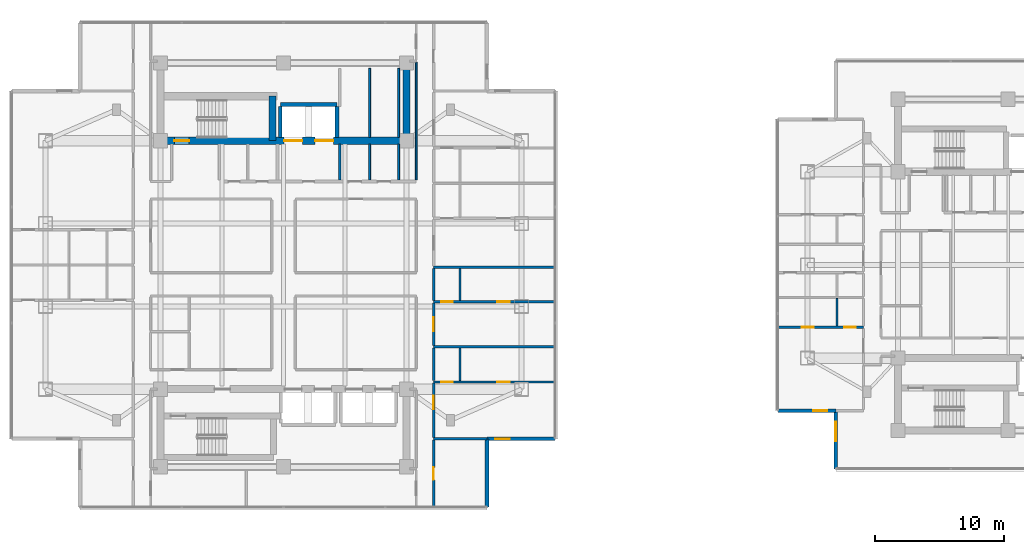
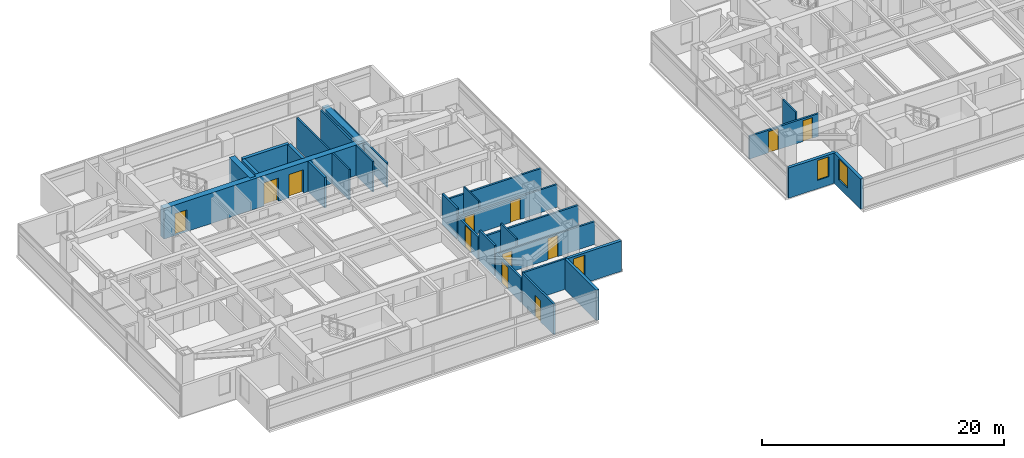
# One storey, part 15 of 25: 30 walls, 12 doors, 3 windows, 15 openings.
"""IFC4 building model written with IfcOpenShell, lengths in metres."""

from ifc_helpers import new_model, si_unit, direction, frame, frame_2d, origin, place, context, subcontext, project, spatial, rectangle, extrude, material, layer, layer_set, type_object, element, fill, save


model = new_model("IFC4")

# Units and contexts
model_context = context("Model", 3, precision=1e-05, world=origin(), true_north=direction((0.0, 1.0)))
body_context = subcontext(model_context, "Body", "Model", "MODEL_VIEW")
ifc_project = project(units=[si_unit("LENGTHUNIT", "METRE"), si_unit("AREAUNIT", "SQUARE_METRE"), si_unit("VOLUMEUNIT", "CUBIC_METRE"), si_unit("PLANEANGLEUNIT", "RADIAN"), si_unit("MASSUNIT", "GRAM", prefix="KILO")], contexts=[model_context])

# Site, building, storey
site_placement = place(None, origin())
site = spatial("IfcSite", under=ifc_project, at=site_placement, CompositionType="ELEMENT")
building_placement = place(site_placement, origin())
building = spatial("IfcBuilding", under=site, at=building_placement, Name="Mirazonda Arch Towers", CompositionType="ELEMENT")
storey_placement = place(building_placement, frame((0.0, 0.0, 131.300048828125)))
storey = spatial("IfcBuildingStorey", under=building, at=storey_placement, Name="L37", CompositionType="ELEMENT", Elevation=131.300048828125)

# Wall
ifc_material_1 = material(Name="Concrete C50/60", Category="concrete")
ifc_layer_1 = layer(ifc_material_1, 0.550048828125, Name="WALL-CORE-550")
ifc_layer_set_1 = layer_set([ifc_layer_1], Name="Concrete C50/60")
wall_type_1 = type_object("IfcWallType", Name="WALL-CORE-550", PredefinedType="SHEAR", material=ifc_layer_set_1)
wall_1_placement = place(storey_placement, frame((30.0, 37.60009765625, 0.0), z_axis=(0.0, 0.0, 1.0), x_axis=(0.0, 1.0, 0.0)))
element("IfcWall", 1, at=wall_1_placement, inside=storey, type_object=wall_type_1, Name="L37 T1N-E Core Shear Wall", PredefinedType="SHEAR", context=body_context, shape_type="SweptSolid", body=[
    extrude(rectangle(XDim=6.0, YDim=0.550048828125, at=frame_2d((3.0, 0.0))), origin(), (0.0, 0.0, 1.0), 3.079833984375),
])

# Wall, openings, doors
wall_2_placement = place(storey_placement, frame((11.0, 37.60009765625, 0.0), z_axis=(0.0, 0.0, 1.0), x_axis=(1.0, 0.0, 0.0)))
wall_2 = element("IfcWall", 2, at=wall_2_placement, inside=storey, type_object=wall_type_1, Name="L37 T1N-S Core Shear Wall", PredefinedType="SHEAR", context=body_context, shape_type="SweptSolid", body=[
    extrude(rectangle(XDim=19.0, YDim=0.550048828125, at=frame_2d((9.5, 0.0))), origin(), (0.0, 0.0, 1.0), 3.079833984375),
])
opening_1_placement = place(wall_2_placement, frame((1.06005859375, 0.0, 0.0)))
opening_1 = element("IfcOpeningElement", 3, at=opening_1_placement, cuts=wall_2, Name="Opening DR-135", PredefinedType="OPENING", context=body_context, shape_type="SweptSolid", body=[
    extrude(rectangle(XDim=1.14990234375, YDim=2.199951171875, at=frame_2d((0.574951171875, 1.10009765625))), frame((0.0, 0.284912109375, 0.0), z_axis=(0.0, -1.0, 0.0), x_axis=(1.0, 0.0, 0.0)), (0.0, 0.0, 1.0), 0.570068359375),
])
opening_2_placement = place(wall_2_placement, frame((9.550048828125, 0.0, 0.0)))
opening_2 = element("IfcOpeningElement", 4, at=opening_2_placement, cuts=wall_2, Name="Opening LD-112", PredefinedType="OPENING", context=body_context, shape_type="SweptSolid", body=[
    extrude(rectangle(XDim=1.39990234375, YDim=2.35009765625, at=frame_2d((0.699951171875, 1.175048828125))), frame((0.0, 0.284912109375, 0.0), z_axis=(0.0, -1.0, 0.0), x_axis=(1.0, 0.0, 0.0)), (0.0, 0.0, 1.0), 0.570068359375),
])
opening_3_placement = place(wall_2_placement, frame((11.949951171875, 0.0, 0.0)))
opening_3 = element("IfcOpeningElement", 5, at=opening_3_placement, cuts=wall_2, Name="Opening LD-112", PredefinedType="OPENING", context=body_context, shape_type="SweptSolid", body=[
    extrude(rectangle(XDim=1.39990234375, YDim=2.35009765625, at=frame_2d((0.699951171875, 1.175048828125))), frame((0.0, 0.284912109375, 0.0), z_axis=(0.0, -1.0, 0.0), x_axis=(1.0, 0.0, 0.0)), (0.0, 0.0, 1.0), 0.570068359375),
])
ifc_material_2 = material(Name="Architectural Brushed Steel S355", Category="steel")
door_type_1 = type_object("IfcDoorType", Name="DOOR-LIFT-FFL-1400", OperationType="NOTDEFINED", PredefinedType="DOOR", material=ifc_material_2)
door_1_placement = place(opening_2_placement, origin())
door_1 = element("IfcDoor", 6, at=door_1_placement, inside=storey, type_object=door_type_1, Name="L37 Lift Landing Sliding Door FFL-T1", OperationType="DOUBLE_DOOR_SLIDING", OverallHeight=2.35009765625, OverallWidth=1.39990234375, PredefinedType="DOOR", context=body_context, shape_type="SweptSolid", body=[
    extrude(rectangle(XDim=1.39990234375, YDim=2.35009765625, at=frame_2d((0.699951171875, 1.175048828125))), frame((0.0, 0.02490234375, 0.0), z_axis=(0.0, -1.0, 0.0), x_axis=(1.0, 0.0, 0.0)), (0.0, 0.0, 1.0), 0.050048828125),
])
fill(opening_2, door_1)
door_2_placement = place(opening_3_placement, origin())
door_2 = element("IfcDoor", 7, at=door_2_placement, inside=storey, type_object=door_type_1, Name="L37 Lift Landing Sliding Door SVL-T1", OperationType="DOUBLE_DOOR_SLIDING", OverallHeight=2.35009765625, OverallWidth=1.39990234375, PredefinedType="DOOR", context=body_context, shape_type="SweptSolid", body=[
    extrude(rectangle(XDim=1.39990234375, YDim=2.35009765625, at=frame_2d((0.699951171875, 1.175048828125))), frame((0.0, 0.02490234375, 0.0), z_axis=(0.0, -1.0, 0.0), x_axis=(1.0, 0.0, 0.0)), (0.0, 0.0, 1.0), 0.050048828125),
])
fill(opening_3, door_2)
door_type_2 = type_object("IfcDoorType", Name="DOOR-STAIR-FD90-1150", OperationType="NOTDEFINED", PredefinedType="DOOR", material=ifc_material_2)
door_3_placement = place(opening_1_placement, origin())
door_3 = element("IfcDoor", 8, at=door_3_placement, inside=storey, type_object=door_type_2, Name="L37 Protected Exit Stair North Door", OperationType="SINGLE_SWING_LEFT", OverallHeight=2.199951171875, OverallWidth=1.14990234375, PredefinedType="DOOR", context=body_context, shape_type="SweptSolid", body=[
    extrude(rectangle(XDim=1.14990234375, YDim=2.199951171875, at=frame_2d((0.574951171875, 1.10009765625))), frame((0.0, 0.02490234375, 0.0), z_axis=(0.0, -1.0, 0.0), x_axis=(1.0, 0.0, 0.0)), (0.0, 0.0, 1.0), 0.050048828125),
])
fill(opening_1, door_3)

# Wall
wall_3_placement = place(storey_placement, frame((19.64990234375, 37.60009765625, 0.0), z_axis=(0.0, 0.0, 1.0), x_axis=(0.0, 1.0, 0.0)))
element("IfcWall", 9, at=wall_3_placement, inside=storey, type_object=wall_type_1, Name="L37 T1N-STE Core Shear Wall", PredefinedType="SHEAR", context=body_context, shape_type="SweptSolid", body=[
    extrude(rectangle(XDim=3.44287109375, YDim=0.550048828125, at=frame_2d((1.721435546875, 0.0))), origin(), (0.0, 0.0, 1.0), 3.079833984375),
])

# Wall, opening, window
ifc_material_3 = material(Name="Precast Concrete C40/50", Category="concrete")
ifc_layer_2 = layer(ifc_material_3, 0.280029296875, Name="WALL-EXT-WALL-280")
ifc_layer_set_2 = layer_set([ifc_layer_2], Name="Precast Concrete C40/50")
wall_type_2 = type_object("IfcWallType", Name="WALL-EXT-WALL-280", PredefinedType="SOLIDWALL", material=ifc_layer_set_2)
wall_4_placement = place(storey_placement, frame((36.22998046875, 14.55810546875, 0.0), z_axis=(0.0, 0.0, 1.0), x_axis=(1.0, 0.0, 0.0)))
wall_4 = element("IfcWall", 10, at=wall_4_placement, inside=storey, type_object=wall_type_2, Name="L37 T1 Corner Notch Return Wall WL-L37-T1-CSE1", PredefinedType="SOLIDWALL", context=body_context, shape_type="SweptSolid", body=[
    extrude(rectangle(XDim=5.27001953125, YDim=0.280029296875, at=frame_2d((2.635009765625, 0.0))), origin(), (0.0, 0.0, 1.0), 3.06005859375),
])
opening_4_placement = place(wall_4_placement, frame((0.64990234375, 0.0, 0.85009765625)))
opening_4 = element("IfcOpeningElement", 11, at=opening_4_placement, cuts=wall_4, Name="Opening WN-108", PredefinedType="OPENING", context=body_context, shape_type="SweptSolid", body=[
    extrude(rectangle(XDim=1.10009765625, YDim=2.0, at=frame_2d((0.550048828125, 1.0))), frame((0.0, 0.14990234375, 0.0), z_axis=(0.0, -1.0, 0.0), x_axis=(1.0, 0.0, 0.0)), (0.0, 0.0, 1.0), 0.300048828125),
])
ifc_material_4 = material(Name="Insulated Low-E Solar Glass", Category="glass")
window_type_1 = type_object("IfcWindowType", Name="WIN-NOTCH-1100x2000", PartitioningType="SINGLE_PANEL", PredefinedType="WINDOW", material=ifc_material_4)
window_1_placement = place(opening_4_placement, origin())
window_1 = element("IfcWindow", 12, at=window_1_placement, inside=storey, type_object=window_type_1, Name="L37 Punched Facade Window WN-L37-T1-CSE1", OverallHeight=2.0, OverallWidth=1.10009765625, PartitioningType="SINGLE_PANEL", PredefinedType="WINDOW", context=body_context, shape_type="SweptSolid", body=[
    extrude(rectangle(XDim=1.10009765625, YDim=2.0, at=frame_2d((0.550048828125, 1.0))), frame((0.0, 0.030029296875, 0.0), z_axis=(0.0, -1.0, 0.0), x_axis=(1.0, 0.0, 0.0)), (0.0, 0.0, 1.0), 0.06005859375),
])
fill(opening_4, window_1)

# Wall
wall_5_placement = place(storey_placement, frame((36.22998046875, 9.2880859375, 0.0), z_axis=(0.0, 0.0, 1.0), x_axis=(0.0, 1.0, 0.0)))
element("IfcWall", 13, at=wall_5_placement, inside=storey, type_object=wall_type_2, Name="L37 T1 Corner Notch Return Wall WL-L37-T1-CSE2", PredefinedType="SOLIDWALL", context=body_context, shape_type="SweptSolid", body=[
    extrude(rectangle(XDim=5.27001953125, YDim=0.280029296875, at=frame_2d((2.635009765625, 0.0))), origin(), (0.0, 0.0, 1.0), 3.06005859375),
])

# Wall, opening, window
wall_6_placement = place(storey_placement, frame((63.189453125, 16.734375, 0.0), z_axis=(0.0, 0.0, 1.0), x_axis=(0.0, -1.0, 0.0)))
wall_6 = element("IfcWall", 14, at=wall_6_placement, inside=storey, type_object=wall_type_2, Name="L37 T2 Notched SW Corner Wall WL-L37-T2-CSW", PredefinedType="SOLIDWALL", context=body_context, shape_type="SweptSolid", body=[
    extrude(rectangle(XDim=4.486572265625, YDim=0.280029296875, at=frame_2d((2.2431640625, 0.0))), origin(), (0.0, 0.0, 1.0), 3.06005859375),
])
opening_5_placement = place(wall_6_placement, frame((0.85009765625, 0.0, 0.81005859375)))
opening_5 = element("IfcOpeningElement", 15, at=opening_5_placement, cuts=wall_6, Name="Opening WN-120", PredefinedType="OPENING", context=body_context, shape_type="SweptSolid", body=[
    extrude(rectangle(XDim=1.5, YDim=2.10009765625, at=frame_2d((0.75, 1.050048828125))), frame((0.0, 0.14990234375, 0.0), z_axis=(0.0, -1.0, 0.0), x_axis=(1.0, 0.0, 0.0)), (0.0, 0.0, 1.0), 0.300048828125),
])
window_type_2 = type_object("IfcWindowType", Name="WIN-HTL-1500x2100", PartitioningType="SINGLE_PANEL", PredefinedType="WINDOW", material=ifc_material_4)
window_2_placement = place(opening_5_placement, origin())
window_2 = element("IfcWindow", 16, at=window_2_placement, inside=storey, type_object=window_type_2, Name="L37 Punched Facade Window WN-L37-T2-CSW", OverallHeight=2.10009765625, OverallWidth=1.5, PartitioningType="SINGLE_PANEL", PredefinedType="WINDOW", context=body_context, shape_type="SweptSolid", body=[
    extrude(rectangle(XDim=1.5, YDim=2.10009765625, at=frame_2d((0.75, 1.050048828125))), frame((0.0, 0.030029296875, 0.0), z_axis=(0.0, -1.0, 0.0), x_axis=(1.0, 0.0, 0.0)), (0.0, 0.0, 1.0), 0.06005859375),
])
fill(opening_5, window_2)

wall_7_placement = place(storey_placement, frame((58.702880859375, 16.734375, 0.0), z_axis=(0.0, 0.0, 1.0), x_axis=(1.0, 0.0, 0.0)))
wall_7 = element("IfcWall", 17, at=wall_7_placement, inside=storey, type_object=wall_type_2, Name="L37 T2 Corner Notch Return Wall WL-L37-T2-CSW2", PredefinedType="SOLIDWALL", context=body_context, shape_type="SweptSolid", body=[
    extrude(rectangle(XDim=4.486572265625, YDim=0.280029296875, at=frame_2d((2.2431640625, 0.0))), origin(), (0.0, 0.0, 1.0), 3.06005859375),
])
opening_6_placement = place(wall_7_placement, frame((2.736083984375, 0.0, 0.85009765625)))
opening_6 = element("IfcOpeningElement", 18, at=opening_6_placement, cuts=wall_7, Name="Opening WN-108", PredefinedType="OPENING", context=body_context, shape_type="SweptSolid", body=[
    extrude(rectangle(XDim=1.10009765625, YDim=2.0, at=frame_2d((0.550048828125, 1.0))), frame((0.0, 0.14990234375, 0.0), z_axis=(0.0, -1.0, 0.0), x_axis=(1.0, 0.0, 0.0)), (0.0, 0.0, 1.0), 0.300048828125),
])
window_3_placement = place(opening_6_placement, origin())
window_3 = element("IfcWindow", 19, at=window_3_placement, inside=storey, type_object=window_type_1, Name="L37 Punched Facade Window WN-L37-T2-CSW2", OverallHeight=2.0, OverallWidth=1.10009765625, PartitioningType="SINGLE_PANEL", PredefinedType="WINDOW", context=body_context, shape_type="SweptSolid", body=[
    extrude(rectangle(XDim=1.10009765625, YDim=2.0, at=frame_2d((0.550048828125, 1.0))), frame((0.0, 0.030029296875, 0.0), z_axis=(0.0, -1.0, 0.0), x_axis=(1.0, 0.0, 0.0)), (0.0, 0.0, 1.0), 0.06005859375),
])
fill(opening_6, window_3)

# Walls
ifc_material_5 = material(Name="Concrete C40/50", Category="concrete")
ifc_layer_3 = layer(ifc_material_5, 0.219970703125, Name="WALL-FFL-220")
ifc_layer_set_3 = layer_set([ifc_layer_3], Name="Concrete C40/50")
wall_type_3 = type_object("IfcWallType", Name="WALL-FFL-220", PredefinedType="SOLIDWALL", material=ifc_layer_set_3)
wall_8_placement = place(storey_placement, frame((24.85009765625, 34.570068359375, 0.0), z_axis=(0.0, 0.0, 1.0), x_axis=(0.0, 1.0, 0.0)))
element("IfcWall", 20, at=wall_8_placement, inside=storey, type_object=wall_type_3, Name="L37 Interior Partition 097", PredefinedType="SOLIDWALL", context=body_context, shape_type="SweptSolid", body=[
    extrude(rectangle(XDim=2.760009765625, YDim=0.219970703125, at=frame_2d((1.3798828125, 0.0))), origin(), (0.0, 0.0, 1.0), 3.079833984375),
])
ifc_material_6 = material(Name="Fire-Rated Gypsum Stud Partition")
ifc_layer_4 = layer(ifc_material_6, 0.14990234375, Name="WALL-PART-CORR-150")
ifc_layer_set_4 = layer_set([ifc_layer_4], Name="Fire-Rated Gypsum Stud Partition")
wall_type_4 = type_object("IfcWallType", Name="WALL-PART-CORR-150", PredefinedType="PARTITIONING", material=ifc_layer_set_4)
wall_9_placement = place(storey_placement, frame((27.14990234375, 34.570068359375, 0.0), z_axis=(0.0, 0.0, 1.0), x_axis=(0.0, 1.0, 0.0)))
element("IfcWall", 21, at=wall_9_placement, inside=storey, type_object=wall_type_4, Name="L37 Interior Partition 099", PredefinedType="PARTITIONING", context=body_context, shape_type="SweptSolid", body=[
    extrude(rectangle(XDim=2.760009765625, YDim=0.14990234375, at=frame_2d((1.3798828125, 0.0))), origin(), (0.0, 0.0, 1.0), 3.079833984375),
])
wall_10_placement = place(storey_placement, frame((27.14990234375, 37.8701171875, 0.0), z_axis=(0.0, 0.0, 1.0), x_axis=(0.0, 1.0, 0.0)))
element("IfcWall", 22, at=wall_10_placement, inside=storey, type_object=wall_type_4, Name="L37 Interior Partition 100", PredefinedType="PARTITIONING", context=body_context, shape_type="SweptSolid", body=[
    extrude(rectangle(XDim=5.329833984375, YDim=0.14990234375, at=frame_2d((2.6650390625, 0.0))), origin(), (0.0, 0.0, 1.0), 3.079833984375),
])
wall_11_placement = place(storey_placement, frame((29.39990234375, 34.570068359375, 0.0), z_axis=(0.0, 0.0, 1.0), x_axis=(0.0, 1.0, 0.0)))
element("IfcWall", 23, at=wall_11_placement, inside=storey, type_object=wall_type_4, Name="L37 Interior Partition 102", PredefinedType="PARTITIONING", context=body_context, shape_type="SweptSolid", body=[
    extrude(rectangle(XDim=2.760009765625, YDim=0.14990234375, at=frame_2d((1.3798828125, 0.0))), origin(), (0.0, 0.0, 1.0), 3.079833984375),
])
wall_12_placement = place(storey_placement, frame((29.39990234375, 37.8701171875, 0.0), z_axis=(0.0, 0.0, 1.0), x_axis=(0.0, 1.0, 0.0)))
element("IfcWall", 24, at=wall_12_placement, inside=storey, type_object=wall_type_4, Name="L37 Interior Partition 103", PredefinedType="PARTITIONING", context=body_context, shape_type="SweptSolid", body=[
    extrude(rectangle(XDim=5.329833984375, YDim=0.14990234375, at=frame_2d((2.6650390625, 0.0))), origin(), (0.0, 0.0, 1.0), 3.079833984375),
])
wall_13_placement = place(storey_placement, frame((30.760009765625, 34.570068359375, 0.0), z_axis=(0.0, 0.0, 1.0), x_axis=(0.0, 1.0, 0.0)))
element("IfcWall", 25, at=wall_13_placement, inside=storey, type_object=wall_type_4, Name="L37 Interior Partition 108", PredefinedType="PARTITIONING", context=body_context, shape_type="SweptSolid", body=[
    extrude(rectangle(XDim=9.094970703125, YDim=0.14990234375, at=frame_2d((4.54736328125, 0.0))), origin(), (0.0, 0.0, 1.0), 2.4560546875),
])
ifc_material_7 = material(Name="Fire-Rated Gypsum Twin-Stud Assembly")
ifc_layer_5 = layer(ifc_material_7, 0.179931640625, Name="WALL-PART-DEMISE-180")
ifc_layer_set_5 = layer_set([ifc_layer_5], Name="Fire-Rated Gypsum Twin-Stud Assembly")
wall_type_5 = type_object("IfcWallType", Name="WALL-PART-DEMISE-180", PredefinedType="PARTITIONING", material=ifc_layer_set_5)
wall_14_placement = place(storey_placement, frame((32.10009765625, 14.55810546875, 0.0), z_axis=(0.0, 0.0, 1.0), x_axis=(1.0, 0.0, 0.0)))
element("IfcWall", 26, at=wall_14_placement, inside=storey, type_object=wall_type_5, Name="L37 Interior Partition 005", PredefinedType="PARTITIONING", context=body_context, shape_type="SweptSolid", body=[
    extrude(rectangle(XDim=4.10986328125, YDim=0.179931640625, at=frame_2d((2.054931640625, 0.0))), origin(), (0.0, 0.0, 1.0), 3.079833984375),
])

# Wall, openings, doors
wall_15_placement = place(storey_placement, frame((32.10009765625, 18.9609375, 0.0), z_axis=(0.0, 0.0, 1.0), x_axis=(1.0, 0.0, 0.0)))
wall_15 = element("IfcWall", 27, at=wall_15_placement, inside=storey, type_object=wall_type_5, Name="L37 Interior Partition 015", PredefinedType="PARTITIONING", context=body_context, shape_type="SweptSolid", body=[
    extrude(rectangle(XDim=9.39990234375, YDim=0.179931640625, at=frame_2d((4.699951171875, 0.0))), origin(), (0.0, 0.0, 1.0), 2.299072265625),
])
opening_7_placement = place(wall_15_placement, frame((4.925048828125, 0.0, 0.0)))
opening_7 = element("IfcOpeningElement", 28, at=opening_7_placement, cuts=wall_15, Name="Opening DR-104", PredefinedType="OPENING", context=body_context, shape_type="SweptSolid", body=[
    extrude(rectangle(XDim=0.949951171875, YDim=2.14990234375, at=frame_2d((0.47509765625, 1.074951171875))), frame((0.0, 0.099853515625, 0.0), z_axis=(0.0, -1.0, 0.0), x_axis=(1.0, 0.0, 0.0)), (0.0, 0.0, 1.0), 0.199951171875),
])
opening_8_placement = place(wall_15_placement, frame((0.590087890625, 0.0, 0.0)))
opening_8 = element("IfcOpeningElement", 29, at=opening_8_placement, cuts=wall_15, Name="Opening DR-120", PredefinedType="OPENING", context=body_context, shape_type="SweptSolid", body=[
    extrude(rectangle(XDim=0.89990234375, YDim=2.10009765625, at=frame_2d((0.449951171875, 1.050048828125))), frame((0.0, 0.099853515625, 0.0), z_axis=(0.0, -1.0, 0.0), x_axis=(1.0, 0.0, 0.0)), (0.0, 0.0, 1.0), 0.199951171875),
])
door_type_3 = type_object("IfcDoorType", Name="DOOR-ROOM-950", OperationType="NOTDEFINED", PredefinedType="DOOR", material=ifc_material_2)
door_4_placement = place(opening_7_placement, origin())
door_4 = element("IfcDoor", 30, at=door_4_placement, inside=storey, type_object=door_type_3, Name="L37 Studio 1 Galley Kitchen Door", OperationType="SINGLE_SWING_LEFT", OverallHeight=2.14990234375, OverallWidth=0.949951171875, PredefinedType="DOOR", context=body_context, shape_type="SweptSolid", body=[
    extrude(rectangle(XDim=0.949951171875, YDim=2.14990234375, at=frame_2d((0.47509765625, 1.074951171875))), frame((0.0, 0.02490234375, 0.0), z_axis=(0.0, -1.0, 0.0), x_axis=(1.0, 0.0, 0.0)), (0.0, 0.0, 1.0), 0.050048828125),
])
fill(opening_7, door_4)
door_type_4 = type_object("IfcDoorType", Name="DOOR-WC-900", OperationType="NOTDEFINED", PredefinedType="DOOR", material=ifc_material_2)
door_5_placement = place(opening_8_placement, origin())
door_5 = element("IfcDoor", 31, at=door_5_placement, inside=storey, type_object=door_type_4, Name="L37 Studio 1 Bathroom Door", OperationType="SINGLE_SWING_RIGHT", OverallHeight=2.10009765625, OverallWidth=0.89990234375, PredefinedType="DOOR", context=body_context, shape_type="SweptSolid", body=[
    extrude(rectangle(XDim=0.89990234375, YDim=2.10009765625, at=frame_2d((0.449951171875, 1.050048828125))), frame((0.0, 0.02490234375, 0.0), z_axis=(0.0, -1.0, 0.0), x_axis=(1.0, 0.0, 0.0)), (0.0, 0.0, 1.0), 0.050048828125),
])
fill(opening_8, door_5)

# Wall
wall_16_placement = place(storey_placement, frame((32.10009765625, 21.680908203125, 0.0), z_axis=(0.0, 0.0, 1.0), x_axis=(1.0, 0.0, 0.0)))
element("IfcWall", 32, at=wall_16_placement, inside=storey, type_object=wall_type_5, Name="L37 Interior Partition 022", PredefinedType="PARTITIONING", context=body_context, shape_type="SweptSolid", body=[
    extrude(rectangle(XDim=9.39990234375, YDim=0.179931640625, at=frame_2d((4.699951171875, 0.0))), origin(), (0.0, 0.0, 1.0), 2.299072265625),
])

# Wall, openings, doors
wall_17_placement = place(storey_placement, frame((58.702880859375, 23.19189453125, 0.0), z_axis=(0.0, 0.0, 1.0), x_axis=(1.0, 0.0, 0.0)))
wall_17 = element("IfcWall", 33, at=wall_17_placement, inside=storey, type_object=wall_type_5, Name="L37 Interior Partition 025", PredefinedType="PARTITIONING", context=body_context, shape_type="SweptSolid", body=[
    extrude(rectangle(XDim=6.6171875, YDim=0.179931640625, at=frame_2d((3.30859375, 0.0))), origin(), (0.0, 0.0, 1.0), 2.299072265625),
])
opening_9_placement = place(wall_17_placement, frame((1.83349609375, 0.0, 0.0)))
opening_9 = element("IfcOpeningElement", 34, at=opening_9_placement, cuts=wall_17, Name="Opening DR-104", PredefinedType="OPENING", context=body_context, shape_type="SweptSolid", body=[
    extrude(rectangle(XDim=0.949951171875, YDim=2.14990234375, at=frame_2d((0.47509765625, 1.074951171875))), frame((0.0, 0.099853515625, 0.0), z_axis=(0.0, -1.0, 0.0), x_axis=(1.0, 0.0, 0.0)), (0.0, 0.0, 1.0), 0.199951171875),
])
opening_10_placement = place(wall_17_placement, frame((5.126953125, 0.0, 0.0)))
opening_10 = element("IfcOpeningElement", 35, at=opening_10_placement, cuts=wall_17, Name="Opening DR-120", PredefinedType="OPENING", context=body_context, shape_type="SweptSolid", body=[
    extrude(rectangle(XDim=0.89990234375, YDim=2.10009765625, at=frame_2d((0.449951171875, 1.050048828125))), frame((0.0, 0.099853515625, 0.0), z_axis=(0.0, -1.0, 0.0), x_axis=(1.0, 0.0, 0.0)), (0.0, 0.0, 1.0), 0.199951171875),
])
door_6_placement = place(opening_9_placement, origin())
door_6 = element("IfcDoor", 36, at=door_6_placement, inside=storey, type_object=door_type_3, Name="L37 Guestroom Study 1 Door", OperationType="SINGLE_SWING_LEFT", OverallHeight=2.14990234375, OverallWidth=0.949951171875, PredefinedType="DOOR", context=body_context, shape_type="SweptSolid", body=[
    extrude(rectangle(XDim=0.949951171875, YDim=2.14990234375, at=frame_2d((0.47509765625, 1.074951171875))), frame((0.0, 0.02490234375, 0.0), z_axis=(0.0, -1.0, 0.0), x_axis=(1.0, 0.0, 0.0)), (0.0, 0.0, 1.0), 0.050048828125),
])
fill(opening_9, door_6)
door_7_placement = place(opening_10_placement, origin())
door_7 = element("IfcDoor", 37, at=door_7_placement, inside=storey, type_object=door_type_4, Name="L37 En-Suite Bathroom 1 Door", OperationType="SINGLE_SWING_RIGHT", OverallHeight=2.10009765625, OverallWidth=0.89990234375, PredefinedType="DOOR", context=body_context, shape_type="SweptSolid", body=[
    extrude(rectangle(XDim=0.89990234375, YDim=2.10009765625, at=frame_2d((0.449951171875, 1.050048828125))), frame((0.0, 0.02490234375, 0.0), z_axis=(0.0, -1.0, 0.0), x_axis=(1.0, 0.0, 0.0)), (0.0, 0.0, 1.0), 0.050048828125),
])
fill(opening_10, door_7)

wall_18_placement = place(storey_placement, frame((32.10009765625, 25.156005859375, 0.0), z_axis=(0.0, 0.0, 1.0), x_axis=(1.0, 0.0, 0.0)))
wall_18 = element("IfcWall", 38, at=wall_18_placement, inside=storey, type_object=wall_type_5, Name="L37 Interior Partition 027", PredefinedType="PARTITIONING", context=body_context, shape_type="SweptSolid", body=[
    extrude(rectangle(XDim=9.39990234375, YDim=0.179931640625, at=frame_2d((4.699951171875, 0.0))), origin(), (0.0, 0.0, 1.0), 2.299072265625),
])
opening_11_placement = place(wall_18_placement, frame((4.925048828125, 0.0, 0.0)))
opening_11 = element("IfcOpeningElement", 39, at=opening_11_placement, cuts=wall_18, Name="Opening DR-104", PredefinedType="OPENING", context=body_context, shape_type="SweptSolid", body=[
    extrude(rectangle(XDim=0.949951171875, YDim=2.14990234375, at=frame_2d((0.47509765625, 1.074951171875))), frame((0.0, 0.099853515625, 0.0), z_axis=(0.0, -1.0, 0.0), x_axis=(1.0, 0.0, 0.0)), (0.0, 0.0, 1.0), 0.199951171875),
])
opening_12_placement = place(wall_18_placement, frame((0.590087890625, 0.0, 0.0)))
opening_12 = element("IfcOpeningElement", 40, at=opening_12_placement, cuts=wall_18, Name="Opening DR-120", PredefinedType="OPENING", context=body_context, shape_type="SweptSolid", body=[
    extrude(rectangle(XDim=0.89990234375, YDim=2.10009765625, at=frame_2d((0.449951171875, 1.050048828125))), frame((0.0, 0.099853515625, 0.0), z_axis=(0.0, -1.0, 0.0), x_axis=(1.0, 0.0, 0.0)), (0.0, 0.0, 1.0), 0.199951171875),
])
door_8_placement = place(opening_11_placement, origin())
door_8 = element("IfcDoor", 41, at=door_8_placement, inside=storey, type_object=door_type_3, Name="L37 Studio 2 Galley Kitchen Door", OperationType="SINGLE_SWING_RIGHT", OverallHeight=2.14990234375, OverallWidth=0.949951171875, PredefinedType="DOOR", context=body_context, shape_type="SweptSolid", body=[
    extrude(rectangle(XDim=0.949951171875, YDim=2.14990234375, at=frame_2d((0.47509765625, 1.074951171875))), frame((0.0, 0.02490234375, 0.0), z_axis=(0.0, -1.0, 0.0), x_axis=(1.0, 0.0, 0.0)), (0.0, 0.0, 1.0), 0.050048828125),
])
fill(opening_11, door_8)
door_9_placement = place(opening_12_placement, origin())
door_9 = element("IfcDoor", 42, at=door_9_placement, inside=storey, type_object=door_type_4, Name="L37 Studio 2 Bathroom Door", OperationType="SINGLE_SWING_LEFT", OverallHeight=2.10009765625, OverallWidth=0.89990234375, PredefinedType="DOOR", context=body_context, shape_type="SweptSolid", body=[
    extrude(rectangle(XDim=0.89990234375, YDim=2.10009765625, at=frame_2d((0.449951171875, 1.050048828125))), frame((0.0, 0.02490234375, 0.0), z_axis=(0.0, -1.0, 0.0), x_axis=(1.0, 0.0, 0.0)), (0.0, 0.0, 1.0), 0.050048828125),
])
fill(opening_12, door_9)

# Wall
wall_19_placement = place(storey_placement, frame((32.10009765625, 27.81396484375, 0.0), z_axis=(0.0, 0.0, 1.0), x_axis=(1.0, 0.0, 0.0)))
element("IfcWall", 43, at=wall_19_placement, inside=storey, type_object=wall_type_5, Name="L37 Interior Partition 035", PredefinedType="PARTITIONING", context=body_context, shape_type="SweptSolid", body=[
    extrude(rectangle(XDim=9.39990234375, YDim=0.179931640625, at=frame_2d((4.699951171875, 0.0))), origin(), (0.0, 0.0, 1.0), 2.299072265625),
])

# Wall, opening, door
wall_20_placement = place(storey_placement, frame((32.10009765625, 9.2880859375, 0.0), z_axis=(0.0, 0.0, 1.0), x_axis=(0.0, 1.0, 0.0)))
wall_20 = element("IfcWall", 44, at=wall_20_placement, inside=storey, type_object=wall_type_5, Name="L37 Interior Partition 110", PredefinedType="PARTITIONING", context=body_context, shape_type="SweptSolid", body=[
    extrude(rectangle(XDim=5.169921875, YDim=0.179931640625, at=frame_2d((2.5849609375, 0.0))), origin(), (0.0, 0.0, 1.0), 3.079833984375),
])
opening_13_placement = place(wall_20_placement, frame((2.110107421875, 0.0, 0.0)))
opening_13 = element("IfcOpeningElement", 45, at=opening_13_placement, cuts=wall_20, Name="Opening DR-104", PredefinedType="OPENING", context=body_context, shape_type="SweptSolid", body=[
    extrude(rectangle(XDim=0.949951171875, YDim=2.14990234375, at=frame_2d((0.47509765625, 1.074951171875))), frame((0.0, 0.099853515625, 0.0), z_axis=(0.0, -1.0, 0.0), x_axis=(1.0, 0.0, 0.0)), (0.0, 0.0, 1.0), 0.199951171875),
])
door_10_placement = place(opening_13_placement, origin())
door_10 = element("IfcDoor", 46, at=door_10_placement, inside=storey, type_object=door_type_3, Name="L37 South Panoramic Study Alcove East Door", OperationType="SINGLE_SWING_LEFT", OverallHeight=2.14990234375, OverallWidth=0.949951171875, PredefinedType="DOOR", context=body_context, shape_type="SweptSolid", body=[
    extrude(rectangle(XDim=0.949951171875, YDim=2.14990234375, at=frame_2d((0.47509765625, 1.074951171875))), frame((0.0, 0.02490234375, 0.0), z_axis=(0.0, -1.0, 0.0), x_axis=(1.0, 0.0, 0.0)), (0.0, 0.0, 1.0), 0.050048828125),
])
fill(opening_13, door_10)

wall_21_placement = place(storey_placement, frame((32.10009765625, 14.657958984375, 0.0), z_axis=(0.0, 0.0, 1.0), x_axis=(0.0, 1.0, 0.0)))
wall_21 = element("IfcWall", 47, at=wall_21_placement, inside=storey, type_object=wall_type_5, Name="L37 Interior Partition 111", PredefinedType="PARTITIONING", context=body_context, shape_type="SweptSolid", body=[
    extrude(rectangle(XDim=4.203125, YDim=0.179931640625, at=frame_2d((2.1015625, 0.0))), origin(), (0.0, 0.0, 1.0), 2.4560546875),
])
opening_14_placement = place(wall_21_placement, frame((2.176513671875, 0.0, 0.0)))
opening_14 = element("IfcOpeningElement", 48, at=opening_14_placement, cuts=wall_21, Name="Opening DR-121", PredefinedType="OPENING", context=body_context, shape_type="SweptSolid", body=[
    extrude(rectangle(XDim=1.050048828125, YDim=2.199951171875, at=frame_2d((0.52490234375, 1.10009765625))), frame((0.0, 0.099853515625, 0.0), z_axis=(0.0, -1.0, 0.0), x_axis=(1.0, 0.0, 0.0)), (0.0, 0.0, 1.0), 0.199951171875),
])
door_type_5 = type_object("IfcDoorType", Name="DOOR-SUITE-FD60-1050", OperationType="NOTDEFINED", PredefinedType="DOOR", material=ifc_material_2)
door_11_placement = place(opening_14_placement, origin())
door_11 = element("IfcDoor", 49, at=door_11_placement, inside=storey, type_object=door_type_5, Name="L37 Studio Apartment 1 Living Salon Door", OperationType="SINGLE_SWING_RIGHT", OverallHeight=2.199951171875, OverallWidth=1.050048828125, PredefinedType="DOOR", context=body_context, shape_type="SweptSolid", body=[
    extrude(rectangle(XDim=1.050048828125, YDim=2.199951171875, at=frame_2d((0.52490234375, 1.10009765625))), frame((0.0, 0.02490234375, 0.0), z_axis=(0.0, -1.0, 0.0), x_axis=(1.0, 0.0, 0.0)), (0.0, 0.0, 1.0), 0.050048828125),
])
fill(opening_14, door_11)

# Wall
wall_22_placement = place(storey_placement, frame((32.10009765625, 19.06103515625, 0.0), z_axis=(0.0, 0.0, 1.0), x_axis=(0.0, 1.0, 0.0)))
element("IfcWall", 50, at=wall_22_placement, inside=storey, type_object=wall_type_5, Name="L37 Interior Partition 112", PredefinedType="PARTITIONING", context=body_context, shape_type="SweptSolid", body=[
    extrude(rectangle(XDim=2.52001953125, YDim=0.179931640625, at=frame_2d((1.260009765625, 0.0))), origin(), (0.0, 0.0, 1.0), 3.079833984375),
])

# Wall, opening, door
wall_23_placement = place(storey_placement, frame((32.10009765625, 21.781005859375, 0.0), z_axis=(0.0, 0.0, 1.0), x_axis=(0.0, 1.0, 0.0)))
wall_23 = element("IfcWall", 51, at=wall_23_placement, inside=storey, type_object=wall_type_5, Name="L37 Interior Partition 113", PredefinedType="PARTITIONING", context=body_context, shape_type="SweptSolid", body=[
    extrude(rectangle(XDim=3.27490234375, YDim=0.179931640625, at=frame_2d((1.637451171875, 0.0))), origin(), (0.0, 0.0, 1.0), 2.299072265625),
])
opening_15_placement = place(wall_23_placement, frame((1.112548828125, 0.0, 0.0)))
opening_15 = element("IfcOpeningElement", 52, at=opening_15_placement, cuts=wall_23, Name="Opening DR-121", PredefinedType="OPENING", context=body_context, shape_type="SweptSolid", body=[
    extrude(rectangle(XDim=1.050048828125, YDim=2.199951171875, at=frame_2d((0.52490234375, 1.10009765625))), frame((0.0, 0.099853515625, 0.0), z_axis=(0.0, -1.0, 0.0), x_axis=(1.0, 0.0, 0.0)), (0.0, 0.0, 1.0), 0.199951171875),
])
door_12_placement = place(opening_15_placement, origin())
door_12 = element("IfcDoor", 53, at=door_12_placement, inside=storey, type_object=door_type_5, Name="L37 Studio Apartment 2 Living Salon Door", OperationType="SINGLE_SWING_LEFT", OverallHeight=2.199951171875, OverallWidth=1.050048828125, PredefinedType="DOOR", context=body_context, shape_type="SweptSolid", body=[
    extrude(rectangle(XDim=1.050048828125, YDim=2.199951171875, at=frame_2d((0.52490234375, 1.10009765625))), frame((0.0, 0.02490234375, 0.0), z_axis=(0.0, -1.0, 0.0), x_axis=(1.0, 0.0, 0.0)), (0.0, 0.0, 1.0), 0.050048828125),
])
fill(opening_15, door_12)

# Walls
wall_24_placement = place(storey_placement, frame((32.10009765625, 25.256103515625, 0.0), z_axis=(0.0, 0.0, 1.0), x_axis=(0.0, 1.0, 0.0)))
element("IfcWall", 54, at=wall_24_placement, inside=storey, type_object=wall_type_5, Name="L37 Interior Partition 114", PredefinedType="PARTITIONING", context=body_context, shape_type="SweptSolid", body=[
    extrude(rectangle(XDim=2.4580078125, YDim=0.179931640625, at=frame_2d((1.22900390625, 0.0))), origin(), (0.0, 0.0, 1.0), 3.079833984375),
])
ifc_material_8 = material(Name="Acoustic Fire-Rated Gypsum Partition")
ifc_layer_6 = layer(ifc_material_8, 0.125, Name="WALL-PART-UNIT-125")
ifc_layer_set_6 = layer_set([ifc_layer_6], Name="Acoustic Fire-Rated Gypsum Partition")
wall_type_6 = type_object("IfcWallType", Name="WALL-PART-UNIT-125", PredefinedType="PARTITIONING", material=ifc_layer_set_6)
wall_25_placement = place(storey_placement, frame((34.139892578125, 19.06103515625, 0.0), z_axis=(0.0, 0.0, 1.0), x_axis=(0.0, 1.0, 0.0)))
element("IfcWall", 55, at=wall_25_placement, inside=storey, type_object=wall_type_6, Name="L37 Interior Partition 120", PredefinedType="PARTITIONING", context=body_context, shape_type="SweptSolid", body=[
    extrude(rectangle(XDim=2.52001953125, YDim=0.125, at=frame_2d((1.260009765625, 0.0))), origin(), (0.0, 0.0, 1.0), 3.079833984375),
])
wall_26_placement = place(storey_placement, frame((34.139892578125, 25.256103515625, 0.0), z_axis=(0.0, 0.0, 1.0), x_axis=(0.0, 1.0, 0.0)))
element("IfcWall", 56, at=wall_26_placement, inside=storey, type_object=wall_type_6, Name="L37 Interior Partition 121", PredefinedType="PARTITIONING", context=body_context, shape_type="SweptSolid", body=[
    extrude(rectangle(XDim=2.4580078125, YDim=0.125, at=frame_2d((1.22900390625, 0.0))), origin(), (0.0, 0.0, 1.0), 3.079833984375),
])
wall_27_placement = place(storey_placement, frame((63.280029296875, 23.2919921875, 0.0), z_axis=(0.0, 0.0, 1.0), x_axis=(0.0, 1.0, 0.0)))
element("IfcWall", 57, at=wall_27_placement, inside=storey, type_object=wall_type_6, Name="L37 Interior Partition 124", PredefinedType="PARTITIONING", context=body_context, shape_type="SweptSolid", body=[
    extrude(rectangle(XDim=2.12744140625, YDim=0.125, at=frame_2d((1.063720703125, 0.0))), origin(), (0.0, 0.0, 1.0), 3.079833984375),
])
ifc_layer_7 = layer(ifc_material_1, 0.300048828125, Name="WALL-SHAFT-300")
ifc_layer_set_7 = layer_set([ifc_layer_7], Name="Concrete C50/60")
wall_type_7 = type_object("IfcWallType", Name="WALL-SHAFT-300", PredefinedType="SOLIDWALL", material=ifc_layer_set_7)
wall_28_placement = place(storey_placement, frame((20.25, 40.39990234375, 0.0), z_axis=(0.0, 0.0, 1.0), x_axis=(1.0, 0.0, 0.0)))
element("IfcWall", 58, at=wall_28_placement, inside=storey, type_object=wall_type_7, Name="L37 Interior Partition 057", PredefinedType="SOLIDWALL", context=body_context, shape_type="SweptSolid", body=[
    extrude(rectangle(XDim=4.39990234375, YDim=0.300048828125, at=frame_2d((2.199951171875, 0.0))), origin(), (0.0, 0.0, 1.0), 3.079833984375),
])
for number, where, z_axis, x_axis, name in (
    (59, (20.25, 37.8701171875, 0.0), (0.0, 0.0, 1.0), (0.0, 1.0, 0.0), "L37 Interior Partition 091"),
    (60, (24.64990234375, 37.8701171875, 0.0), (0.0, 0.0, 1.0), (0.0, 1.0, 0.0), "L37 Interior Partition 095"),
):
    element("IfcWall", number, at=place(storey_placement, frame(where, z_axis=z_axis, x_axis=x_axis)), inside=storey, type_object=wall_type_7, Name=name, PredefinedType="SOLIDWALL", context=body_context, shape_type="SweptSolid", body=[
        extrude(rectangle(XDim=2.369873046875, YDim=0.300048828125, at=frame_2d((1.18505859375, 0.0))), origin(), (0.0, 0.0, 1.0), 3.079833984375),
    ])

save(model, "model.ifc")
